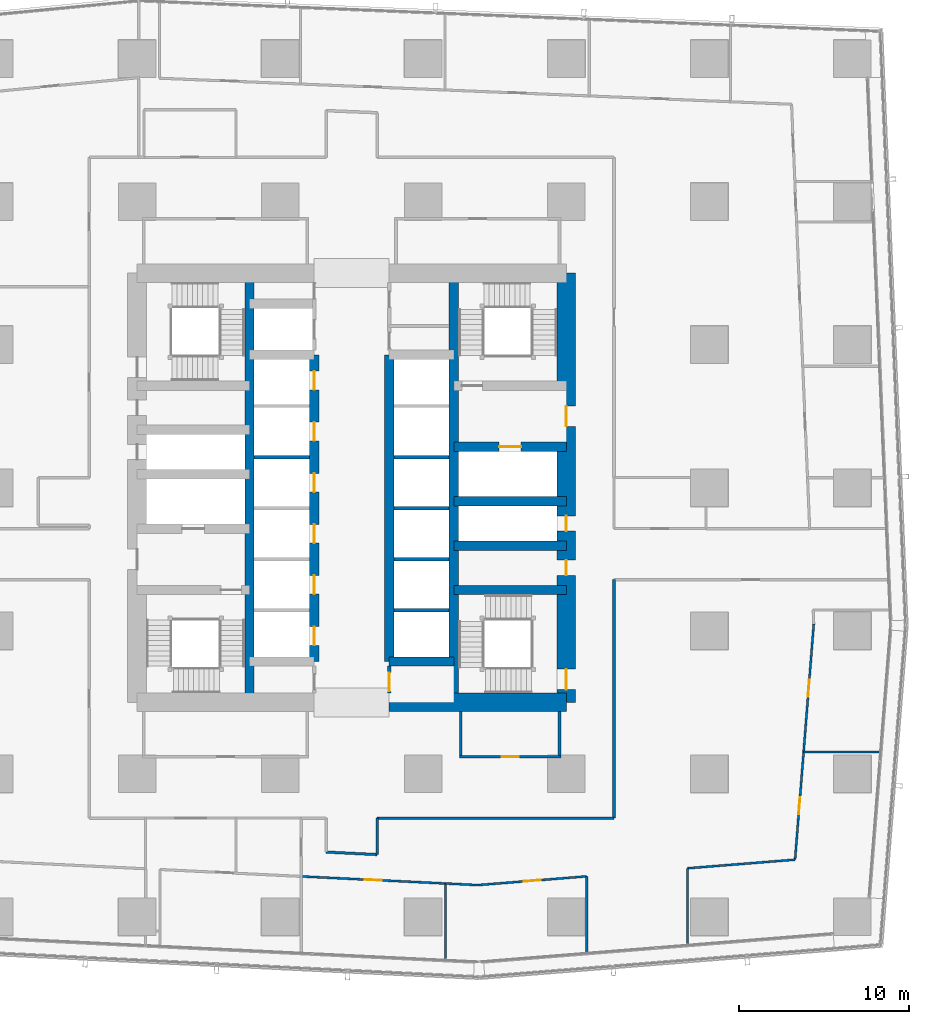
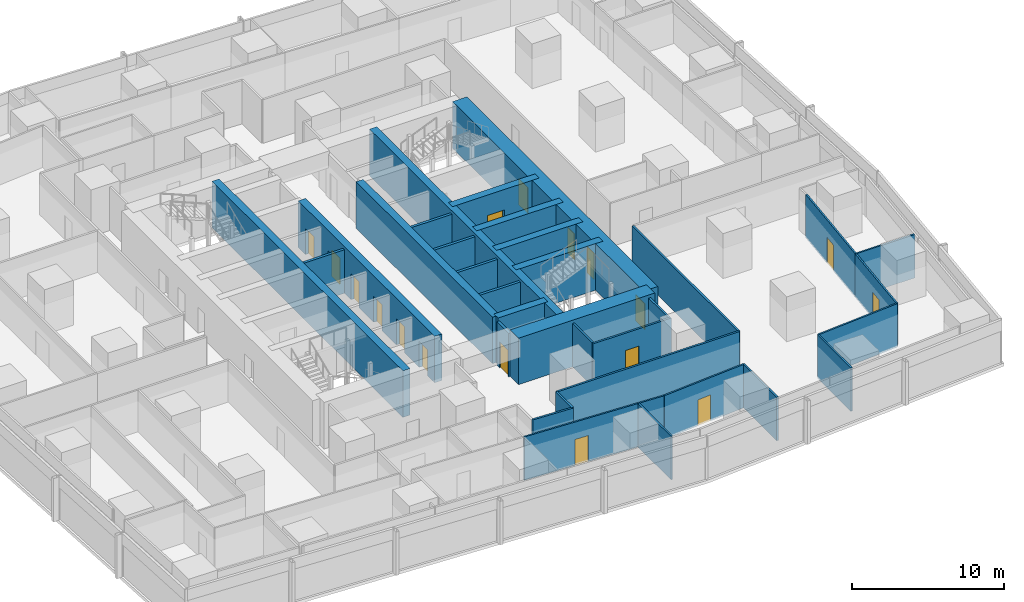
# One storey, part 33 of 45: 34 walls, 17 doors, 17 openings.
"""IFC4 building model written with IfcOpenShell, lengths in metres."""

import ifcopenshell
import ifcopenshell.guid

model = None  # the IFC model being written
_history = None  # IfcOwnerHistory: only IFC2X3 demands one
_inside = {}  # id of a spatial element -> (the spatial element, [elements in it])
_under = {}  # id of a project, library or spatial element -> (it, [spatial elements below it])
_declared = {}  # id of a project -> (the project, [libraries it declares])
_typed = {}  # id of a type object -> (the type object, [elements of that type])
_made_of = {}  # id of a material, layer set ... -> (it, [elements and type objects made of it])


def new_model(schema):
    """Start an empty IFC model of exactly this schema.

    Asked for "IFC4X3", IfcOpenShell would pick the latest addendum, in which some entities
    have other attributes; the version numbers below select the first issue.
    IFC2X3 requires an IfcOwnerHistory on every rooted entity: one is made here for all.
    """
    global model, _history
    if schema == "IFC4X3":
        model = ifcopenshell.file(schema_version=(4, 3, 0, 0))
    else:
        model = ifcopenshell.file(schema=schema)
    _inside.clear()
    _under.clear()
    _declared.clear()
    _typed.clear()
    _made_of.clear()
    _history = None
    if model.schema == "IFC2X3":
        org = make("IfcOrganization", Name="unknown")
        user = make(
            "IfcPersonAndOrganization",
            ThePerson=make("IfcPerson", FamilyName="unknown"),
            TheOrganization=org,
        )
        app = make(
            "IfcApplication",
            ApplicationDeveloper=org,
            Version="unknown",
            ApplicationFullName="unknown",
            ApplicationIdentifier="unknown",
        )
        _history = make(
            "IfcOwnerHistory",
            OwningUser=user,
            OwningApplication=app,
            ChangeAction="ADDED",
            CreationDate=0,
        )
    return model


def make(cls, **values):
    """One entity of the class cls with the attributes given. An attribute that is None is left unset."""
    return model.create_entity(
        cls, **{name: value for name, value in values.items() if value is not None}
    )


def rooted(cls, **values):
    """An entity with a GlobalId (a new one), such as an element, a storey or a relation."""
    return make(cls, GlobalId=ifcopenshell.guid.new(), OwnerHistory=_history, **values)


def si_unit(unit_type, name, prefix=None):
    """IfcSIUnit, for example si_unit("LENGTHUNIT", "METRE", prefix="MILLI")."""
    return make("IfcSIUnit", UnitType=unit_type, Prefix=prefix, Name=name)


def assignment(units):
    """IfcUnitAssignment: the units of a project."""
    return None if units is None else make("IfcUnitAssignment", Units=units)


def point(xyz):
    """IfcCartesianPoint."""
    return None if xyz is None else make("IfcCartesianPoint", Coordinates=xyz)


def direction(xyz):
    """IfcDirection."""
    return None if xyz is None else make("IfcDirection", DirectionRatios=xyz)


def frame(location, z_axis=None, x_axis=None):
    """IfcAxis2Placement3D, a coordinate frame: its origin and axes. An axis left out is left unset."""
    return make(
        "IfcAxis2Placement3D",
        Location=point(location),
        Axis=direction(z_axis),
        RefDirection=direction(x_axis),
    )


def frame_2d(location, x_axis=None):
    """IfcAxis2Placement2D, a coordinate frame in the plane: its origin and x axis."""
    return make(
        "IfcAxis2Placement2D", Location=point(location), RefDirection=direction(x_axis)
    )


def origin():
    """The frame at (0, 0, 0) with its axes left unset."""
    return frame((0.0, 0.0, 0.0))


def place(relative_to, where):
    """IfcLocalPlacement: puts the frame where relative to a parent placement (None: the world)."""
    return make(
        "IfcLocalPlacement", PlacementRelTo=relative_to, RelativePlacement=where
    )


def context(
    kind, dimensions, precision=None, world=None, true_north=None, identifier=None
):
    """IfcGeometricRepresentationContext, for example the 3D "Model" context."""
    return make(
        "IfcGeometricRepresentationContext",
        ContextIdentifier=identifier,
        ContextType=kind,
        CoordinateSpaceDimension=dimensions,
        Precision=precision,
        WorldCoordinateSystem=world,
        TrueNorth=true_north,
    )


def subcontext(parent, identifier, kind, view, scale=None):
    """IfcGeometricRepresentationSubContext, for example "Body" below "Model"."""
    return make(
        "IfcGeometricRepresentationSubContext",
        ContextIdentifier=identifier,
        ContextType=kind,
        ParentContext=parent,
        TargetScale=scale,
        TargetView=view,
    )


def project(units=None, contexts=None):
    """IfcProject with its units and contexts."""
    return rooted(
        "IfcProject",
        Name="project",
        RepresentationContexts=contexts,
        UnitsInContext=assignment(units),
    )


def spatial(cls, under=None, at=None, **own):
    """A site, building, storey or space (cls), placed at a placement, below another one or the project."""
    s = rooted(cls, ObjectPlacement=at, **own)
    if under is not None:
        _under.setdefault(under.id(), (under, []))[1].append(s)
    return s


def profile(cls, at=None, kind="AREA", **sizes):
    """A parametric profile (cls). Its sizes go by their IFC names, for example OverallWidth=200.0."""
    return make(cls, ProfileType=kind, Position=at, **sizes)


def rectangle(**sizes):
    """IfcRectangleProfileDef."""
    return profile("IfcRectangleProfileDef", **sizes)


def extrude(swept, where, along, depth):
    """IfcExtrudedAreaSolid: the profile swept, set in the frame where, extruded along a direction by depth."""
    return make(
        "IfcExtrudedAreaSolid",
        SweptArea=swept,
        Position=where,
        ExtrudedDirection=direction(along),
        Depth=depth,
    )


def shape(context_of_items, identifier, shape_type, items):
    """IfcShapeRepresentation: the items that make up one representation, for example the "Body"."""
    return make(
        "IfcShapeRepresentation",
        ContextOfItems=context_of_items,
        RepresentationIdentifier=identifier,
        RepresentationType=shape_type,
        Items=items,
    )


def material(Name=None, Category=None):
    """IfcMaterial."""
    return make("IfcMaterial", Name=Name, Category=Category)


def layer(
    of_material, thickness, ventilated=None, Name=None, Category=None, Priority=None
):
    """IfcMaterialLayer: one layer of a wall or slab, of a material (None: an air gap)."""
    return make(
        "IfcMaterialLayer",
        Material=of_material,
        LayerThickness=thickness,
        IsVentilated=ventilated,
        Name=Name,
        Category=Category,
        Priority=Priority,
    )


def layer_set(layers, Name=None):
    """IfcMaterialLayerSet."""
    return make("IfcMaterialLayerSet", MaterialLayers=layers, LayerSetName=Name)


def made_of(thing, what):
    """Note that an element or type object is made of a material, layer set ...; save() writes the relation."""
    if what is not None:
        _made_of.setdefault(what.id(), (what, []))[1].append(thing)
    return thing


def type_object(cls, material=None, **own):
    """A type object (cls), such as IfcWallType, which elements share."""
    return made_of(rooted(cls, **own), material)


def element(
    cls,
    number,
    at=None,
    inside=None,
    cuts=None,
    type_object=None,
    material=None,
    context=None,
    identifier="Body",
    shape_type=None,
    held_by="IfcProductDefinitionShape",
    body=None,
    shapes=None,
    **own,
):
    """One element of the class cls, such as IfcWall. Its Tag is "e" and its number.

    at: its placement. inside: the storey or other place that contains it. cuts: it is an
    opening in that element (IfcRelVoidsElement). A single representation is given by context,
    identifier, shape_type and body (its items); several are given by shapes. held_by: the class
    of the entity that holds the representations. save() writes the other relations.
    """
    e = rooted(cls, Tag="e%d" % number, ObjectPlacement=at, **own)
    if body is not None:
        shapes = [shape(context, identifier, shape_type, body)]
    if shapes is not None:
        e.Representation = make(held_by, Representations=shapes)
    if inside is not None:
        _inside.setdefault(inside.id(), (inside, []))[1].append(e)
    if cuts is not None:
        rooted(
            "IfcRelVoidsElement", RelatingBuildingElement=cuts, RelatedOpeningElement=e
        )
    if type_object is not None:
        _typed.setdefault(type_object.id(), (type_object, []))[1].append(e)
    return made_of(e, material)


def fill(opening, filler):
    """IfcRelFillsElement: the door or window that sits in an opening."""
    return rooted(
        "IfcRelFillsElement",
        RelatingOpeningElement=opening,
        RelatedBuildingElement=filler,
    )


def aggregate(whole, parts):
    """IfcRelAggregates: a whole, such as a stair, and the parts it consists of."""
    return rooted("IfcRelAggregates", RelatingObject=whole, RelatedObjects=parts)


def save(model, path):
    """Write the relations noted so far, then the file.

    IfcRelAggregates (storeys below a building ...), IfcRelContainedInSpatialStructure (elements
    in a storey), IfcRelDefinesByType, IfcRelAssociatesMaterial and IfcRelDeclares: one each for
    every whole, place, type object, material and project.
    """
    for whole, parts in _under.values():
        aggregate(whole, parts)
    for where, things in _inside.values():
        rooted(
            "IfcRelContainedInSpatialStructure",
            RelatedElements=things,
            RelatingStructure=where,
        )
    for kind, things in _typed.values():
        rooted("IfcRelDefinesByType", RelatedObjects=things, RelatingType=kind)
    for what, things in _made_of.values():
        rooted("IfcRelAssociatesMaterial", RelatedObjects=things, RelatingMaterial=what)
    for by, libraries in _declared.values():
        rooted("IfcRelDeclares", RelatingContext=by, RelatedDefinitions=libraries)
    model.write(path)


model = new_model("IFC4")

# Units and contexts
model_context = context("Model", 3, precision=1e-05, world=origin(), true_north=direction((0.0, 1.0)))
body_context = subcontext(model_context, "Body", "Model", "MODEL_VIEW")
ifc_project = project(units=[si_unit("LENGTHUNIT", "METRE"), si_unit("AREAUNIT", "SQUARE_METRE"), si_unit("VOLUMEUNIT", "CUBIC_METRE"), si_unit("PLANEANGLEUNIT", "RADIAN"), si_unit("MASSUNIT", "GRAM", prefix="KILO")], contexts=[model_context])

# Site, building, storey
site_placement = place(None, origin())
site = spatial("IfcSite", under=ifc_project, at=site_placement, CompositionType="ELEMENT")
building_placement = place(site_placement, origin())
building = spatial("IfcBuilding", under=site, at=building_placement, Name="Rekha Terrace Tower", CompositionType="ELEMENT")
storey_placement = place(building_placement, frame((0.0, 0.0, 36.64990234375)))
storey = spatial("IfcBuildingStorey", under=building, at=storey_placement, Name="L08", CompositionType="ELEMENT", Elevation=36.64990234375)

# Walls
ifc_material_1 = material(Name="Concrete M70", Category="concrete")
ifc_layer_1 = layer(ifc_material_1, 0.550048828125)
ifc_layer_set_1 = layer_set([ifc_layer_1], Name="Concrete M70")
wall_type_1 = type_object("IfcWallType", Name="CI1 550 core internal shear wall", PredefinedType="SHEAR", material=ifc_layer_set_1)
for number, where, z_axis, x_axis, name in (
    (1, (31.800048828125, 21.0, 0.0), (0.0, 0.0, 1.0), (0.0, 1.0, 0.0), "Core wall X318 L08"),
    (2, (43.800048828125, 21.0, 0.0), (0.0, 0.0, 1.0), (0.0, 1.0, 0.0), "Core wall X438 L08"),
):
    element("IfcWall", number, at=place(storey_placement, frame(where, z_axis=z_axis, x_axis=x_axis)), inside=storey, type_object=wall_type_1, Name=name, PredefinedType="SHEAR", context=body_context, shape_type="SweptSolid", body=[
        extrude(rectangle(XDim=25.199951171875, YDim=0.550048828125, at=frame_2d((12.60009765625, 0.0))), origin(), (0.0, 0.0, 1.0), 3.75),
    ])

# Wall, openings, doors
wall_1_placement = place(storey_placement, frame((35.60009765625, 23.39990234375, 0.0), z_axis=(0.0, 0.0, 1.0), x_axis=(0.0, 1.0, 0.0)))
wall_1 = element("IfcWall", 3, at=wall_1_placement, inside=storey, type_object=wall_type_1, Name="Core wall X356 L08", PredefinedType="SHEAR", context=body_context, shape_type="SweptSolid", body=[
    extrude(rectangle(XDim=18.0, YDim=0.550048828125, at=frame_2d((9.0, 0.0))), origin(), (0.0, 0.0, 1.0), 3.75),
])
opening_1_placement = place(wall_1_placement, frame((0.949951171875, 0.0, 0.0)))
opening_1 = element("IfcOpeningElement", 4, at=opening_1_placement, cuts=wall_1, Name="Opening LD1", PredefinedType="OPENING", context=body_context, shape_type="SweptSolid", body=[
    extrude(rectangle(XDim=1.10009765625, YDim=2.10009765625, at=frame_2d((0.550048828125, 1.050048828125))), frame((0.0, 0.284912109375, 0.0), z_axis=(0.0, -1.0, 0.0), x_axis=(1.0, 0.0, 0.0)), (0.0, 0.0, 1.0), 0.570068359375),
])
opening_2_placement = place(wall_1_placement, frame((3.949951171875, 0.0, 0.0)))
opening_2 = element("IfcOpeningElement", 5, at=opening_2_placement, cuts=wall_1, Name="Opening LD1", PredefinedType="OPENING", context=body_context, shape_type="SweptSolid", body=[
    extrude(rectangle(XDim=1.10009765625, YDim=2.10009765625, at=frame_2d((0.550048828125, 1.050048828125))), frame((0.0, 0.284912109375, 0.0), z_axis=(0.0, -1.0, 0.0), x_axis=(1.0, 0.0, 0.0)), (0.0, 0.0, 1.0), 0.570068359375),
])
opening_3_placement = place(wall_1_placement, frame((6.949951171875, 0.0, 0.0)))
opening_3 = element("IfcOpeningElement", 6, at=opening_3_placement, cuts=wall_1, Name="Opening LD1", PredefinedType="OPENING", context=body_context, shape_type="SweptSolid", body=[
    extrude(rectangle(XDim=1.10009765625, YDim=2.10009765625, at=frame_2d((0.550048828125, 1.050048828125))), frame((0.0, 0.284912109375, 0.0), z_axis=(0.0, -1.0, 0.0), x_axis=(1.0, 0.0, 0.0)), (0.0, 0.0, 1.0), 0.570068359375),
])
opening_4_placement = place(wall_1_placement, frame((9.949951171875, 0.0, 0.0)))
opening_4 = element("IfcOpeningElement", 7, at=opening_4_placement, cuts=wall_1, Name="Opening LD1", PredefinedType="OPENING", context=body_context, shape_type="SweptSolid", body=[
    extrude(rectangle(XDim=1.10009765625, YDim=2.10009765625, at=frame_2d((0.550048828125, 1.050048828125))), frame((0.0, 0.284912109375, 0.0), z_axis=(0.0, -1.0, 0.0), x_axis=(1.0, 0.0, 0.0)), (0.0, 0.0, 1.0), 0.570068359375),
])
opening_5_placement = place(wall_1_placement, frame((12.949951171875, 0.0, 0.0)))
opening_5 = element("IfcOpeningElement", 8, at=opening_5_placement, cuts=wall_1, Name="Opening LD1", PredefinedType="OPENING", context=body_context, shape_type="SweptSolid", body=[
    extrude(rectangle(XDim=1.10009765625, YDim=2.10009765625, at=frame_2d((0.550048828125, 1.050048828125))), frame((0.0, 0.284912109375, 0.0), z_axis=(0.0, -1.0, 0.0), x_axis=(1.0, 0.0, 0.0)), (0.0, 0.0, 1.0), 0.570068359375),
])
opening_6_placement = place(wall_1_placement, frame((15.949951171875, 0.0, 0.0)))
opening_6 = element("IfcOpeningElement", 9, at=opening_6_placement, cuts=wall_1, Name="Opening LD1", PredefinedType="OPENING", context=body_context, shape_type="SweptSolid", body=[
    extrude(rectangle(XDim=1.10009765625, YDim=2.10009765625, at=frame_2d((0.550048828125, 1.050048828125))), frame((0.0, 0.284912109375, 0.0), z_axis=(0.0, -1.0, 0.0), x_axis=(1.0, 0.0, 0.0)), (0.0, 0.0, 1.0), 0.570068359375),
])
ifc_material_2 = material(Name="Stainless steel sliding landing door", Category="steel")
door_type_1 = type_object("IfcDoorType", Name="LD1 1100x2100 lift landing door", OperationType="SLIDING_TO_LEFT", PredefinedType="USERDEFINED", material=ifc_material_2)
door_1_placement = place(opening_1_placement, origin())
door_1 = element("IfcDoor", 10, at=door_1_placement, inside=storey, type_object=door_type_1, Name="Lift A1 landing door L08", ObjectType="LIFT LANDING DOOR", OperationType="SLIDING_TO_LEFT", OverallHeight=2.10009765625, OverallWidth=1.10009765625, PredefinedType="USERDEFINED", context=body_context, shape_type="SweptSolid", body=[
    extrude(rectangle(XDim=1.10009765625, YDim=2.10009765625, at=frame_2d((0.550048828125, 1.050048828125))), frame((0.0, 0.02490234375, 0.0), z_axis=(0.0, -1.0, 0.0), x_axis=(1.0, 0.0, 0.0)), (0.0, 0.0, 1.0), 0.050048828125),
])
fill(opening_1, door_1)
door_2_placement = place(opening_2_placement, origin())
door_2 = element("IfcDoor", 11, at=door_2_placement, inside=storey, type_object=door_type_1, Name="Lift A2 landing door L08", ObjectType="LIFT LANDING DOOR", OperationType="SLIDING_TO_LEFT", OverallHeight=2.10009765625, OverallWidth=1.10009765625, PredefinedType="USERDEFINED", context=body_context, shape_type="SweptSolid", body=[
    extrude(rectangle(XDim=1.10009765625, YDim=2.10009765625, at=frame_2d((0.550048828125, 1.050048828125))), frame((0.0, 0.02490234375, 0.0), z_axis=(0.0, -1.0, 0.0), x_axis=(1.0, 0.0, 0.0)), (0.0, 0.0, 1.0), 0.050048828125),
])
fill(opening_2, door_2)
door_3_placement = place(opening_3_placement, origin())
door_3 = element("IfcDoor", 12, at=door_3_placement, inside=storey, type_object=door_type_1, Name="Lift A3 landing door L08", ObjectType="LIFT LANDING DOOR", OperationType="SLIDING_TO_LEFT", OverallHeight=2.10009765625, OverallWidth=1.10009765625, PredefinedType="USERDEFINED", context=body_context, shape_type="SweptSolid", body=[
    extrude(rectangle(XDim=1.10009765625, YDim=2.10009765625, at=frame_2d((0.550048828125, 1.050048828125))), frame((0.0, 0.02490234375, 0.0), z_axis=(0.0, -1.0, 0.0), x_axis=(1.0, 0.0, 0.0)), (0.0, 0.0, 1.0), 0.050048828125),
])
fill(opening_3, door_3)
door_4_placement = place(opening_4_placement, origin())
door_4 = element("IfcDoor", 13, at=door_4_placement, inside=storey, type_object=door_type_1, Name="Lift A4 landing door L08", ObjectType="LIFT LANDING DOOR", OperationType="SLIDING_TO_LEFT", OverallHeight=2.10009765625, OverallWidth=1.10009765625, PredefinedType="USERDEFINED", context=body_context, shape_type="SweptSolid", body=[
    extrude(rectangle(XDim=1.10009765625, YDim=2.10009765625, at=frame_2d((0.550048828125, 1.050048828125))), frame((0.0, 0.02490234375, 0.0), z_axis=(0.0, -1.0, 0.0), x_axis=(1.0, 0.0, 0.0)), (0.0, 0.0, 1.0), 0.050048828125),
])
fill(opening_4, door_4)
door_5_placement = place(opening_5_placement, origin())
door_5 = element("IfcDoor", 14, at=door_5_placement, inside=storey, type_object=door_type_1, Name="Lift A5 landing door L08", ObjectType="LIFT LANDING DOOR", OperationType="SLIDING_TO_LEFT", OverallHeight=2.10009765625, OverallWidth=1.10009765625, PredefinedType="USERDEFINED", context=body_context, shape_type="SweptSolid", body=[
    extrude(rectangle(XDim=1.10009765625, YDim=2.10009765625, at=frame_2d((0.550048828125, 1.050048828125))), frame((0.0, 0.02490234375, 0.0), z_axis=(0.0, -1.0, 0.0), x_axis=(1.0, 0.0, 0.0)), (0.0, 0.0, 1.0), 0.050048828125),
])
fill(opening_5, door_5)
door_6_placement = place(opening_6_placement, origin())
door_6 = element("IfcDoor", 15, at=door_6_placement, inside=storey, type_object=door_type_1, Name="Lift A6 landing door L08", ObjectType="LIFT LANDING DOOR", OperationType="SLIDING_TO_LEFT", OverallHeight=2.10009765625, OverallWidth=1.10009765625, PredefinedType="USERDEFINED", context=body_context, shape_type="SweptSolid", body=[
    extrude(rectangle(XDim=1.10009765625, YDim=2.10009765625, at=frame_2d((0.550048828125, 1.050048828125))), frame((0.0, 0.02490234375, 0.0), z_axis=(0.0, -1.0, 0.0), x_axis=(1.0, 0.0, 0.0)), (0.0, 0.0, 1.0), 0.050048828125),
])
fill(opening_6, door_6)

# Walls
wall_2_placement = place(storey_placement, frame((40.0, 23.39990234375, 0.0), z_axis=(0.0, 0.0, 1.0), x_axis=(0.0, 1.0, 0.0)))
element("IfcWall", 16, at=wall_2_placement, inside=storey, type_object=wall_type_1, Name="Core wall X400 L08", PredefinedType="SHEAR", context=body_context, shape_type="SweptSolid", body=[
    extrude(rectangle(XDim=18.0, YDim=0.550048828125, at=frame_2d((9.0, 0.0))), origin(), (0.0, 0.0, 1.0), 3.75),
])
wall_3_placement = place(storey_placement, frame((40.0, 23.39990234375, 0.0), z_axis=(0.0, 0.0, 1.0), x_axis=(1.0, 0.0, 0.0)))
element("IfcWall", 17, at=wall_3_placement, inside=storey, type_object=wall_type_1, Name="Core wall Y234E L08", PredefinedType="SHEAR", context=body_context, shape_type="SweptSolid", body=[
    extrude(rectangle(XDim=3.800048828125, YDim=0.550048828125, at=frame_2d((1.89990234375, 0.0))), origin(), (0.0, 0.0, 1.0), 3.75),
])
for number, where, z_axis, x_axis, name in (
    (18, (43.800048828125, 27.60009765625, 0.0), (0.0, 0.0, 1.0), (1.0, 0.0, 0.0), "Core wall Y276E L08"),
    (19, (43.800048828125, 30.199951171875, 0.0), (0.0, 0.0, 1.0), (1.0, 0.0, 0.0), "Core wall Y302E L08"),
    (20, (43.800048828125, 32.800048828125, 0.0), (0.0, 0.0, 1.0), (1.0, 0.0, 0.0), "Core wall Y328E L08"),
):
    element("IfcWall", number, at=place(storey_placement, frame(where, z_axis=z_axis, x_axis=x_axis)), inside=storey, type_object=wall_type_1, Name=name, PredefinedType="SHEAR", context=body_context, shape_type="SweptSolid", body=[
        extrude(rectangle(XDim=6.599853515625, YDim=0.550048828125, at=frame_2d((3.2998046875, 0.0))), origin(), (0.0, 0.0, 1.0), 3.75),
    ])

# Wall, opening, door
wall_4_placement = place(storey_placement, frame((43.800048828125, 36.0, 0.0), z_axis=(0.0, 0.0, 1.0), x_axis=(1.0, 0.0, 0.0)))
wall_4 = element("IfcWall", 21, at=wall_4_placement, inside=storey, type_object=wall_type_1, Name="Core wall Y360E L08", PredefinedType="SHEAR", context=body_context, shape_type="SweptSolid", body=[
    extrude(rectangle(XDim=6.599853515625, YDim=0.550048828125, at=frame_2d((3.2998046875, 0.0))), origin(), (0.0, 0.0, 1.0), 3.75),
])
opening_7_placement = place(wall_4_placement, frame((2.64990234375, 0.0, 0.0)))
opening_7 = element("IfcOpeningElement", 22, at=opening_7_placement, cuts=wall_4, Name="Opening LD2", PredefinedType="OPENING", context=body_context, shape_type="SweptSolid", body=[
    extrude(rectangle(XDim=1.300048828125, YDim=2.10009765625, at=frame_2d((0.64990234375, 1.050048828125))), frame((0.0, 0.284912109375, 0.0), z_axis=(0.0, -1.0, 0.0), x_axis=(1.0, 0.0, 0.0)), (0.0, 0.0, 1.0), 0.570068359375),
])
door_type_2 = type_object("IfcDoorType", Name="LD2 1300x2100 fire lift landing door", OperationType="SLIDING_TO_LEFT", PredefinedType="USERDEFINED", material=ifc_material_2)
door_7_placement = place(opening_7_placement, origin())
door_7 = element("IfcDoor", 23, at=door_7_placement, inside=storey, type_object=door_type_2, Name="Lift FL2 landing door L08", ObjectType="LIFT LANDING DOOR", OperationType="SLIDING_TO_LEFT", OverallHeight=2.10009765625, OverallWidth=1.300048828125, PredefinedType="USERDEFINED", context=body_context, shape_type="SweptSolid", body=[
    extrude(rectangle(XDim=1.300048828125, YDim=2.10009765625, at=frame_2d((0.64990234375, 1.050048828125))), frame((0.0, 0.02490234375, 0.0), z_axis=(0.0, -1.0, 0.0), x_axis=(1.0, 0.0, 0.0)), (0.0, 0.0, 1.0), 0.050048828125),
])
fill(opening_7, door_7)

# Wall
ifc_layer_2 = layer(ifc_material_1, 1.10009765625)
ifc_layer_set_2 = layer_set([ifc_layer_2], Name="Concrete M70")
wall_type_2 = type_object("IfcWallType", Name="SW1 1100 core outer shear wall", PredefinedType="SHEAR", material=ifc_layer_set_2)
wall_5_placement = place(storey_placement, frame((40.0, 21.0, 0.0), z_axis=(0.0, 0.0, 1.0), x_axis=(1.0, 0.0, 0.0)))
element("IfcWall", 24, at=wall_5_placement, inside=storey, type_object=wall_type_2, Name="Core wall S2 L08", PredefinedType="SHEAR", context=body_context, shape_type="SweptSolid", body=[
    extrude(rectangle(XDim=10.39990234375, YDim=1.10009765625, at=frame_2d((5.199951171875, 0.0))), origin(), (0.0, 0.0, 1.0), 3.75),
])

# Wall, openings, doors
wall_6_placement = place(storey_placement, frame((50.39990234375, 21.0, 0.0), z_axis=(0.0, 0.0, 1.0), x_axis=(0.0, 1.0, 0.0)))
wall_6 = element("IfcWall", 25, at=wall_6_placement, inside=storey, type_object=wall_type_2, Name="Core wall E L08", PredefinedType="SHEAR", context=body_context, shape_type="SweptSolid", body=[
    extrude(rectangle(XDim=25.199951171875, YDim=1.10009765625, at=frame_2d((12.60009765625, 0.0))), origin(), (0.0, 0.0, 1.0), 3.75),
])
opening_8_placement = place(wall_6_placement, frame((16.199951171875, 0.0, 0.0)))
opening_8 = element("IfcOpeningElement", 26, at=opening_8_placement, cuts=wall_6, Name="Opening D2", PredefinedType="OPENING", context=body_context, shape_type="SweptSolid", body=[
    extrude(rectangle(XDim=1.199951171875, YDim=2.10009765625, at=frame_2d((0.60009765625, 1.050048828125))), frame((0.0, 0.56005859375, 0.0), z_axis=(0.0, -1.0, 0.0), x_axis=(1.0, 0.0, 0.0)), (0.0, 0.0, 1.0), 1.1201171875),
])
opening_9_placement = place(wall_6_placement, frame((10.050048828125, 0.0, 0.0)))
opening_9 = element("IfcOpeningElement", 27, at=opening_9_placement, cuts=wall_6, Name="Opening D5", PredefinedType="OPENING", context=body_context, shape_type="SweptSolid", body=[
    extrude(rectangle(XDim=0.89990234375, YDim=2.10009765625, at=frame_2d((0.449951171875, 1.050048828125))), frame((0.0, 0.56005859375, 0.0), z_axis=(0.0, -1.0, 0.0), x_axis=(1.0, 0.0, 0.0)), (0.0, 0.0, 1.0), 1.1201171875),
])
opening_10_placement = place(wall_6_placement, frame((7.449951171875, 0.0, 0.0)))
opening_10 = element("IfcOpeningElement", 28, at=opening_10_placement, cuts=wall_6, Name="Opening D5", PredefinedType="OPENING", context=body_context, shape_type="SweptSolid", body=[
    extrude(rectangle(XDim=0.89990234375, YDim=2.10009765625, at=frame_2d((0.449951171875, 1.050048828125))), frame((0.0, 0.56005859375, 0.0), z_axis=(0.0, -1.0, 0.0), x_axis=(1.0, 0.0, 0.0)), (0.0, 0.0, 1.0), 1.1201171875),
])
opening_11_placement = place(wall_6_placement, frame((0.75, 0.0, 0.0)))
opening_11 = element("IfcOpeningElement", 29, at=opening_11_placement, cuts=wall_6, Name="Opening D1", PredefinedType="OPENING", context=body_context, shape_type="SweptSolid", body=[
    extrude(rectangle(XDim=1.199951171875, YDim=2.10009765625, at=frame_2d((0.60009765625, 1.050048828125))), frame((0.0, 0.56005859375, 0.0), z_axis=(0.0, -1.0, 0.0), x_axis=(1.0, 0.0, 0.0)), (0.0, 0.0, 1.0), 1.1201171875),
])
ifc_material_3 = material(Name="Steel fire door", Category="steel")
door_type_3 = type_object("IfcDoorType", Name="D1 1200x2100 stair fire door", OperationType="SINGLE_SWING_RIGHT", PredefinedType="DOOR", material=ifc_material_3)
door_8_placement = place(opening_11_placement, origin())
door_8 = element("IfcDoor", 30, at=door_8_placement, inside=storey, type_object=door_type_3, Name="Stair ST3 door L08", OperationType="SINGLE_SWING_RIGHT", OverallHeight=2.10009765625, OverallWidth=1.199951171875, PredefinedType="DOOR", context=body_context, shape_type="SweptSolid", body=[
    extrude(rectangle(XDim=1.199951171875, YDim=2.10009765625, at=frame_2d((0.60009765625, 1.050048828125))), frame((0.0, 0.02490234375, 0.0), z_axis=(0.0, -1.0, 0.0), x_axis=(1.0, 0.0, 0.0)), (0.0, 0.0, 1.0), 0.050048828125),
])
fill(opening_11, door_8)
door_type_4 = type_object("IfcDoorType", Name="D2 1200x2100 firefighting lobby door", OperationType="SINGLE_SWING_LEFT", PredefinedType="DOOR", material=ifc_material_3)
door_9_placement = place(opening_8_placement, origin())
door_9 = element("IfcDoor", 31, at=door_9_placement, inside=storey, type_object=door_type_4, Name="Door flb2 L08", OperationType="SINGLE_SWING_LEFT", OverallHeight=2.10009765625, OverallWidth=1.199951171875, PredefinedType="DOOR", context=body_context, shape_type="SweptSolid", body=[
    extrude(rectangle(XDim=1.199951171875, YDim=2.10009765625, at=frame_2d((0.60009765625, 1.050048828125))), frame((0.0, 0.02490234375, 0.0), z_axis=(0.0, -1.0, 0.0), x_axis=(1.0, 0.0, 0.0)), (0.0, 0.0, 1.0), 0.050048828125),
])
fill(opening_8, door_9)
door_type_5 = type_object("IfcDoorType", Name="D5 900x2100 riser access door", OperationType="SINGLE_SWING_LEFT", PredefinedType="DOOR", material=ifc_material_3)
door_10_placement = place(opening_9_placement, origin())
door_10 = element("IfcDoor", 32, at=door_10_placement, inside=storey, type_object=door_type_5, Name="Door rs2 L08", OperationType="SINGLE_SWING_LEFT", OverallHeight=2.10009765625, OverallWidth=0.89990234375, PredefinedType="DOOR", context=body_context, shape_type="SweptSolid", body=[
    extrude(rectangle(XDim=0.89990234375, YDim=2.10009765625, at=frame_2d((0.449951171875, 1.050048828125))), frame((0.0, 0.02490234375, 0.0), z_axis=(0.0, -1.0, 0.0), x_axis=(1.0, 0.0, 0.0)), (0.0, 0.0, 1.0), 0.050048828125),
])
fill(opening_9, door_10)
door_11_placement = place(opening_10_placement, origin())
door_11 = element("IfcDoor", 33, at=door_11_placement, inside=storey, type_object=door_type_5, Name="Door ele L08", OperationType="SINGLE_SWING_LEFT", OverallHeight=2.10009765625, OverallWidth=0.89990234375, PredefinedType="DOOR", context=body_context, shape_type="SweptSolid", body=[
    extrude(rectangle(XDim=0.89990234375, YDim=2.10009765625, at=frame_2d((0.449951171875, 1.050048828125))), frame((0.0, 0.02490234375, 0.0), z_axis=(0.0, -1.0, 0.0), x_axis=(1.0, 0.0, 0.0)), (0.0, 0.0, 1.0), 0.050048828125),
])
fill(opening_10, door_11)

# Wall, opening, door
ifc_material_4 = material(Name="Concrete block masonry, 1 hour", Category="masonry")
ifc_layer_3 = layer(ifc_material_4, 0.14990234375)
ifc_layer_set_3 = layer_set([ifc_layer_3], Name="Concrete block masonry, 1 hour")
wall_type_3 = type_object("IfcWallType", Name="WP2 150 tenancy partition", PredefinedType="PARTITIONING", material=ifc_layer_set_3)
wall_7_placement = place(storey_placement, frame((44.125, 17.800048828125, 0.0), z_axis=(0.0, 0.0, 1.0), x_axis=(1.0, 0.0, 0.0)))
wall_7 = element("IfcWall", 34, at=wall_7_placement, inside=storey, type_object=wall_type_3, Name="Men's WC wall L08", PredefinedType="PARTITIONING", context=body_context, shape_type="SweptSolid", body=[
    extrude(rectangle(XDim=5.949951171875, YDim=0.14990234375, at=frame_2d((2.97509765625, 0.0))), origin(), (0.0, 0.0, 1.0), 3.5),
])
opening_12_placement = place(wall_7_placement, frame((2.47509765625, 0.0, 0.0)))
opening_12 = element("IfcOpeningElement", 35, at=opening_12_placement, cuts=wall_7, Name="Opening D3", PredefinedType="OPENING", context=body_context, shape_type="SweptSolid", body=[
    extrude(rectangle(XDim=1.0, YDim=2.10009765625, at=frame_2d((0.5, 1.050048828125))), frame((0.0, 0.0849609375, 0.0), z_axis=(0.0, -1.0, 0.0), x_axis=(1.0, 0.0, 0.0)), (0.0, 0.0, 1.0), 0.169921875),
])
ifc_material_5 = material(Name="Laminated timber fire door", Category="wood")
door_type_6 = type_object("IfcDoorType", Name="D3 1000x2100 WC door", OperationType="SINGLE_SWING_LEFT", PredefinedType="DOOR", material=ifc_material_5)
door_12_placement = place(opening_12_placement, origin())
door_12 = element("IfcDoor", 36, at=door_12_placement, inside=storey, type_object=door_type_6, Name="Door men's wc L08", OperationType="SINGLE_SWING_LEFT", OverallHeight=2.10009765625, OverallWidth=1.0, PredefinedType="DOOR", context=body_context, shape_type="SweptSolid", body=[
    extrude(rectangle(XDim=1.0, YDim=2.10009765625, at=frame_2d((0.5, 1.050048828125))), frame((0.0, 0.02490234375, 0.0), z_axis=(0.0, -1.0, 0.0), x_axis=(1.0, 0.0, 0.0)), (0.0, 0.0, 1.0), 0.050048828125),
])
fill(opening_12, door_12)

# Walls
for number, where, z_axis, x_axis, name in (
    (37, (44.199951171875, 17.875, 0.0), (0.0, 0.0, 1.0), (0.0, 1.0, 0.0), "Men's WC wall L08"),
    (38, (50.0, 17.875, 0.0), (0.0, 0.0, 1.0), (0.0, 1.0, 0.0), "Men's WC wall L08"),
):
    element("IfcWall", number, at=place(storey_placement, frame(where, z_axis=z_axis, x_axis=x_axis)), inside=storey, type_object=wall_type_3, Name=name, PredefinedType="PARTITIONING", context=body_context, shape_type="SweptSolid", body=[
        extrude(rectangle(XDim=2.574951171875, YDim=0.14990234375, at=frame_2d((1.28759765625, 0.0))), origin(), (0.0, 0.0, 1.0), 3.5),
    ])
wall_8_placement = place(storey_placement, frame((36.300048828125, 12.2099609375, 0.0), z_axis=(0.0, 0.0, 1.0), x_axis=(0.998786159732, -0.04925654401, 0.0)))
element("IfcWall", 39, at=wall_8_placement, inside=storey, type_object=wall_type_3, Name="Partition L08-O1", PredefinedType="PARTITIONING", context=body_context, shape_type="SweptSolid", body=[
    extrude(rectangle(XDim=3.003662109375, YDim=0.14990234375, at=frame_2d((1.501953125, 0.0))), origin(), (0.0, 0.0, 1.0), 3.5),
])
wall_9_placement = place(storey_placement, frame((39.300048828125, 12.06201171875, 0.0), z_axis=(0.0, 0.0, 1.0), x_axis=(0.0, 1.0, 0.0)))
element("IfcWall", 40, at=wall_9_placement, inside=storey, type_object=wall_type_3, Name="Partition L08-O1", PredefinedType="PARTITIONING", context=body_context, shape_type="SweptSolid", body=[
    extrude(rectangle(XDim=2.137939453125, YDim=0.14990234375, at=frame_2d((1.06884765625, 0.0))), origin(), (0.0, 0.0, 1.0), 3.5),
])
wall_10_placement = place(storey_placement, frame((39.300048828125, 14.199951171875, 0.0), z_axis=(0.0, 0.0, 1.0), x_axis=(1.0, 0.0, 0.0)))
element("IfcWall", 41, at=wall_10_placement, inside=storey, type_object=wall_type_3, Name="Partition L08-O1", PredefinedType="PARTITIONING", context=body_context, shape_type="SweptSolid", body=[
    extrude(rectangle(XDim=13.89990234375, YDim=0.14990234375, at=frame_2d((6.949951171875, 0.0))), origin(), (0.0, 0.0, 1.0), 3.5),
])
wall_11_placement = place(storey_placement, frame((53.199951171875, 14.199951171875, 0.0), z_axis=(0.0, 0.0, 1.0), x_axis=(0.0, 1.0, 0.0)))
element("IfcWall", 42, at=wall_11_placement, inside=storey, type_object=wall_type_3, Name="Partition L08-O1", PredefinedType="PARTITIONING", context=body_context, shape_type="SweptSolid", body=[
    extrude(rectangle(XDim=14.0, YDim=0.14990234375, at=frame_2d((7.0, 0.0))), origin(), (0.0, 0.0, 1.0), 3.5),
])

# Wall, opening, door
ifc_material_6 = material(Name="Two layers of fire-rated gypsum board each side on steel studs, acoustic quilt, 1 hour", Category="steel")
ifc_layer_4 = layer(ifc_material_6, 0.125)
ifc_layer_set_4 = layer_set([ifc_layer_4], Name="Two layers of fire-rated gypsum board each side on steel studs, acoustic quilt, 1 hour")
wall_type_4 = type_object("IfcWallType", Name="WP3 125 office partition", PredefinedType="PARTITIONING", material=ifc_layer_set_4)
wall_12_placement = place(storey_placement, frame((34.841064453125, 10.780029296875, 0.0), z_axis=(0.0, 0.0, 1.0), x_axis=(0.998796515078, -0.049046115723, 0.0)))
wall_12 = element("IfcWall", 43, at=wall_12_placement, inside=storey, type_object=wall_type_4, Name="Partition L08-02", PredefinedType="PARTITIONING", context=body_context, shape_type="SweptSolid", body=[
    extrude(rectangle(XDim=8.482177734375, YDim=0.125, at=frame_2d((4.2412109375, 0.0))), origin(), (0.0, 0.0, 1.0), 3.5),
])
opening_13_placement = place(wall_12_placement, frame((3.740966796875, 0.0, 0.0)))
opening_13 = element("IfcOpeningElement", 44, at=opening_13_placement, cuts=wall_12, Name="Opening D9", PredefinedType="OPENING", context=body_context, shape_type="SweptSolid", body=[
    extrude(rectangle(XDim=1.0, YDim=2.10009765625, at=frame_2d((0.5, 1.050048828125))), frame((0.0, 0.072509765625, 0.0), z_axis=(0.0, -1.0, 0.0), x_axis=(1.0, 0.0, 0.0)), (0.0, 0.0, 1.0), 0.14501953125),
])
ifc_material_7 = material(Name="Timber fire door", Category="wood")
door_type_7 = type_object("IfcDoorType", Name="D9 1000x2100 office door", OperationType="SINGLE_SWING_LEFT", PredefinedType="DOOR", material=ifc_material_7)
door_13_placement = place(opening_13_placement, origin())
door_13 = element("IfcDoor", 45, at=door_13_placement, inside=storey, type_object=door_type_7, Name="Door meeting room L08", OperationType="SINGLE_SWING_LEFT", OverallHeight=2.10009765625, OverallWidth=1.0, PredefinedType="DOOR", context=body_context, shape_type="SweptSolid", body=[
    extrude(rectangle(XDim=1.0, YDim=2.10009765625, at=frame_2d((0.5, 1.050048828125))), frame((0.0, 0.02490234375, 0.0), z_axis=(0.0, -1.0, 0.0), x_axis=(1.0, 0.0, 0.0)), (0.0, 0.0, 1.0), 0.050048828125),
])
fill(opening_13, door_13)

# Walls
wall_13_placement = place(storey_placement, frame((43.31298828125, 10.364013671875, 0.0), z_axis=(0.0, 0.0, 1.0), x_axis=(0.0, -1.0, 0.0)))
element("IfcWall", 46, at=wall_13_placement, inside=storey, type_object=wall_type_4, Name="Partition L08-02", PredefinedType="PARTITIONING", context=body_context, shape_type="SweptSolid", body=[
    extrude(rectangle(XDim=4.426025390625, YDim=0.125, at=frame_2d((2.212890625, 0.0))), origin(), (0.0, 0.0, 1.0), 3.5),
])
wall_14_placement = place(storey_placement, frame((43.31396484375, 10.364013671875, 0.0), z_axis=(0.0, 0.0, 1.0), x_axis=(0.998788470102, -0.04920967375, 0.0)))
element("IfcWall", 47, at=wall_14_placement, inside=storey, type_object=wall_type_4, Name="Partition L08-03", PredefinedType="PARTITIONING", context=body_context, shape_type="SweptSolid", body=[
    extrude(rectangle(XDim=1.89013671875, YDim=0.125, at=frame_2d((0.945068359375, 0.0))), origin(), (0.0, 0.0, 1.0), 3.5),
])

# Wall, opening, door
wall_15_placement = place(storey_placement, frame((45.201904296875, 10.27099609375, 0.0), z_axis=(0.0, 0.0, 1.0), x_axis=(0.996803782356, 0.079888794459, 0.0)))
wall_15 = element("IfcWall", 48, at=wall_15_placement, inside=storey, type_object=wall_type_4, Name="Partition L08-03", PredefinedType="PARTITIONING", context=body_context, shape_type="SweptSolid", body=[
    extrude(rectangle(XDim=6.420654296875, YDim=0.125, at=frame_2d((3.21044921875, 0.0))), origin(), (0.0, 0.0, 1.0), 3.5),
])
opening_14_placement = place(wall_15_placement, frame((2.7099609375, 0.0, 0.0)))
opening_14 = element("IfcOpeningElement", 49, at=opening_14_placement, cuts=wall_15, Name="Opening D9", PredefinedType="OPENING", context=body_context, shape_type="SweptSolid", body=[
    extrude(rectangle(XDim=1.0, YDim=2.10009765625, at=frame_2d((0.5, 1.050048828125))), frame((0.0, 0.072509765625, 0.0), z_axis=(0.0, -1.0, 0.0), x_axis=(1.0, 0.0, 0.0)), (0.0, 0.0, 1.0), 0.14501953125),
])
door_14_placement = place(opening_14_placement, origin())
door_14 = element("IfcDoor", 50, at=door_14_placement, inside=storey, type_object=door_type_7, Name="Door breakout lounge L08", OperationType="SINGLE_SWING_LEFT", OverallHeight=2.10009765625, OverallWidth=1.0, PredefinedType="DOOR", context=body_context, shape_type="SweptSolid", body=[
    extrude(rectangle(XDim=1.0, YDim=2.10009765625, at=frame_2d((0.5, 1.050048828125))), frame((0.0, 0.02490234375, 0.0), z_axis=(0.0, -1.0, 0.0), x_axis=(1.0, 0.0, 0.0)), (0.0, 0.0, 1.0), 0.050048828125),
])
fill(opening_14, door_14)

# Walls
wall_16_placement = place(storey_placement, frame((51.60205078125, 10.783935546875, 0.0), z_axis=(0.0, 0.0, 1.0), x_axis=(0.0, -1.0, 0.0)))
element("IfcWall", 51, at=wall_16_placement, inside=storey, type_object=wall_type_4, Name="Partition L08-03", PredefinedType="PARTITIONING", context=body_context, shape_type="SweptSolid", body=[
    extrude(rectangle(XDim=4.434814453125, YDim=0.125, at=frame_2d((2.21728515625, 0.0))), origin(), (0.0, 0.0, 1.0), 3.5),
])
wall_17_placement = place(storey_placement, frame((57.527099609375, 6.823974609375, 0.0), z_axis=(0.0, 0.0, 1.0), x_axis=(0.0, 1.0, 0.0)))
element("IfcWall", 52, at=wall_17_placement, inside=storey, type_object=wall_type_4, Name="Partition L08-04", PredefinedType="PARTITIONING", context=body_context, shape_type="SweptSolid", body=[
    extrude(rectangle(XDim=4.43408203125, YDim=0.125, at=frame_2d((2.217041015625, 0.0))), origin(), (0.0, 0.0, 1.0), 3.5),
])
wall_18_placement = place(storey_placement, frame((57.527099609375, 11.258056640625, 0.0), z_axis=(0.0, 0.0, 1.0), x_axis=(0.996809139081, 0.079821928349, 0.0)))
element("IfcWall", 53, at=wall_18_placement, inside=storey, type_object=wall_type_4, Name="Partition L08-04", PredefinedType="PARTITIONING", context=body_context, shape_type="SweptSolid", body=[
    extrude(rectangle(XDim=6.3251953125, YDim=0.125, at=frame_2d((3.16259765625, 0.0))), origin(), (0.0, 0.0, 1.0), 3.5),
])

# Wall, opening, door
wall_19_placement = place(storey_placement, frame((63.83203125, 11.762939453125, 0.0), z_axis=(0.0, 0.0, 1.0), x_axis=(0.07922144789, 0.996857042005, 0.0)))
wall_19 = element("IfcWall", 54, at=wall_19_placement, inside=storey, type_object=wall_type_4, Name="Partition L08-04", PredefinedType="PARTITIONING", context=body_context, shape_type="SweptSolid", body=[
    extrude(rectangle(XDim=6.336181640625, YDim=0.125, at=frame_2d((3.16796875, 0.0))), origin(), (0.0, 0.0, 1.0), 3.5),
])
opening_15_placement = place(wall_19_placement, frame((2.66796875, 0.0, 0.0)))
opening_15 = element("IfcOpeningElement", 55, at=opening_15_placement, cuts=wall_19, Name="Opening D9", PredefinedType="OPENING", context=body_context, shape_type="SweptSolid", body=[
    extrude(rectangle(XDim=1.0, YDim=2.10009765625, at=frame_2d((0.5, 1.050048828125))), frame((0.0, 0.072509765625, 0.0), z_axis=(0.0, -1.0, 0.0), x_axis=(1.0, 0.0, 0.0)), (0.0, 0.0, 1.0), 0.14501953125),
])
door_15_placement = place(opening_15_placement, origin())
door_15 = element("IfcDoor", 56, at=door_15_placement, inside=storey, type_object=door_type_7, Name="Door manager's office L08", OperationType="SINGLE_SWING_LEFT", OverallHeight=2.10009765625, OverallWidth=1.0, PredefinedType="DOOR", context=body_context, shape_type="SweptSolid", body=[
    extrude(rectangle(XDim=1.0, YDim=2.10009765625, at=frame_2d((0.5, 1.050048828125))), frame((0.0, 0.02490234375, 0.0), z_axis=(0.0, -1.0, 0.0), x_axis=(1.0, 0.0, 0.0)), (0.0, 0.0, 1.0), 0.050048828125),
])
fill(opening_15, door_15)

# Wall
wall_20_placement = place(storey_placement, frame((64.333984375, 18.0791015625, 0.0), z_axis=(0.0, 0.0, 1.0), x_axis=(1.0, 0.0, 0.0)))
element("IfcWall", 57, at=wall_20_placement, inside=storey, type_object=wall_type_4, Name="Partition L08-04", PredefinedType="PARTITIONING", context=body_context, shape_type="SweptSolid", body=[
    extrude(rectangle(XDim=4.464111328125, YDim=0.125, at=frame_2d((2.23193359375, 0.0))), origin(), (0.0, 0.0, 1.0), 3.5),
])

# Wall, opening, door
wall_21_placement = place(storey_placement, frame((64.333984375, 18.080078125, 0.0), z_axis=(0.0, 0.0, 1.0), x_axis=(0.078990223615, 0.996875390695, 0.0)))
wall_21 = element("IfcWall", 58, at=wall_21_placement, inside=storey, type_object=wall_type_4, Name="Partition L08-05", PredefinedType="PARTITIONING", context=body_context, shape_type="SweptSolid", body=[
    extrude(rectangle(XDim=7.544677734375, YDim=0.125, at=frame_2d((3.7724609375, 0.0))), origin(), (0.0, 0.0, 1.0), 3.5),
])
opening_16_placement = place(wall_21_placement, frame((3.27197265625, 0.0, 0.0)))
opening_16 = element("IfcOpeningElement", 59, at=opening_16_placement, cuts=wall_21, Name="Opening D9", PredefinedType="OPENING", context=body_context, shape_type="SweptSolid", body=[
    extrude(rectangle(XDim=1.0, YDim=2.10009765625, at=frame_2d((0.5, 1.050048828125))), frame((0.0, 0.072509765625, 0.0), z_axis=(0.0, -1.0, 0.0), x_axis=(1.0, 0.0, 0.0)), (0.0, 0.0, 1.0), 0.14501953125),
])
door_16_placement = place(opening_16_placement, origin())
door_16 = element("IfcDoor", 60, at=door_16_placement, inside=storey, type_object=door_type_7, Name="Door office L08", OperationType="SINGLE_SWING_LEFT", OverallHeight=2.10009765625, OverallWidth=1.0, PredefinedType="DOOR", context=body_context, shape_type="SweptSolid", body=[
    extrude(rectangle(XDim=1.0, YDim=2.10009765625, at=frame_2d((0.5, 1.050048828125))), frame((0.0, 0.02490234375, 0.0), z_axis=(0.0, -1.0, 0.0), x_axis=(1.0, 0.0, 0.0)), (0.0, 0.0, 1.0), 0.050048828125),
])
fill(opening_16, door_16)

# Walls
ifc_material_8 = material(Name="Solid concrete block masonry, 2 hour", Category="masonry")
ifc_layer_5 = layer(ifc_material_8, 0.199951171875)
ifc_layer_set_5 = layer_set([ifc_layer_5], Name="Solid concrete block masonry, 2 hour")
wall_type_5 = type_object("IfcWallType", Name="WS1 200 stair and shaft enclosure", PredefinedType="PARTITIONING", material=ifc_layer_set_5)
for number, where, z_axis, x_axis, name in (
    (61, (32.074951171875, 35.39990234375, 0.0), (0.0, 0.0, 1.0), (1.0, 0.0, 0.0), "Lift shaft divider L08"),
    (62, (40.27490234375, 26.39990234375, 0.0), (0.0, 0.0, 1.0), (1.0, 0.0, 0.0), "Lift shaft divider L08"),
    (63, (40.27490234375, 29.39990234375, 0.0), (0.0, 0.0, 1.0), (1.0, 0.0, 0.0), "Lift shaft divider L08"),
    (64, (40.27490234375, 32.39990234375, 0.0), (0.0, 0.0, 1.0), (1.0, 0.0, 0.0), "Lift shaft divider L08"),
    (65, (40.27490234375, 35.39990234375, 0.0), (0.0, 0.0, 1.0), (1.0, 0.0, 0.0), "Lift shaft divider L08"),
):
    element("IfcWall", number, at=place(storey_placement, frame(where, z_axis=z_axis, x_axis=x_axis)), inside=storey, type_object=wall_type_5, Name=name, PredefinedType="PARTITIONING", context=body_context, shape_type="SweptSolid", body=[
        extrude(rectangle(XDim=3.25, YDim=0.199951171875, at=frame_2d((1.625, 0.0))), origin(), (0.0, 0.0, 1.0), 3.5),
    ])

# Wall, opening, door
wall_22_placement = place(storey_placement, frame((40.0, 21.550048828125, 0.0), z_axis=(0.0, 0.0, 1.0), x_axis=(0.0, 1.0, 0.0)))
wall_22 = element("IfcWall", 66, at=wall_22_placement, inside=storey, type_object=wall_type_5, Name="Core partition wca L08", PredefinedType="PARTITIONING", context=body_context, shape_type="SweptSolid", body=[
    extrude(rectangle(XDim=1.574951171875, YDim=0.199951171875, at=frame_2d((0.78759765625, 0.0))), origin(), (0.0, 0.0, 1.0), 3.5),
])
opening_17_placement = place(wall_22_placement, frame((0.10009765625, 0.0, 0.0)))
opening_17 = element("IfcOpeningElement", 67, at=opening_17_placement, cuts=wall_22, Name="Opening D4", PredefinedType="OPENING", context=body_context, shape_type="SweptSolid", body=[
    extrude(rectangle(XDim=1.10009765625, YDim=2.10009765625, at=frame_2d((0.550048828125, 1.050048828125))), frame((0.0, 0.10986328125, 0.0), z_axis=(0.0, -1.0, 0.0), x_axis=(1.0, 0.0, 0.0)), (0.0, 0.0, 1.0), 0.219970703125),
])
door_type_8 = type_object("IfcDoorType", Name="D4 1100x2100 accessible WC door", OperationType="SLIDING_TO_LEFT", PredefinedType="DOOR", material=ifc_material_5)
door_17_placement = place(opening_17_placement, origin())
door_17 = element("IfcDoor", 68, at=door_17_placement, inside=storey, type_object=door_type_8, Name="Door wca L08", OperationType="SLIDING_TO_LEFT", OverallHeight=2.10009765625, OverallWidth=1.10009765625, PredefinedType="DOOR", context=body_context, shape_type="SweptSolid", body=[
    extrude(rectangle(XDim=1.10009765625, YDim=2.10009765625, at=frame_2d((0.550048828125, 1.050048828125))), frame((0.0, 0.02490234375, 0.0), z_axis=(0.0, -1.0, 0.0), x_axis=(1.0, 0.0, 0.0)), (0.0, 0.0, 1.0), 0.050048828125),
])
fill(opening_17, door_17)

save(model, "model.ifc")
